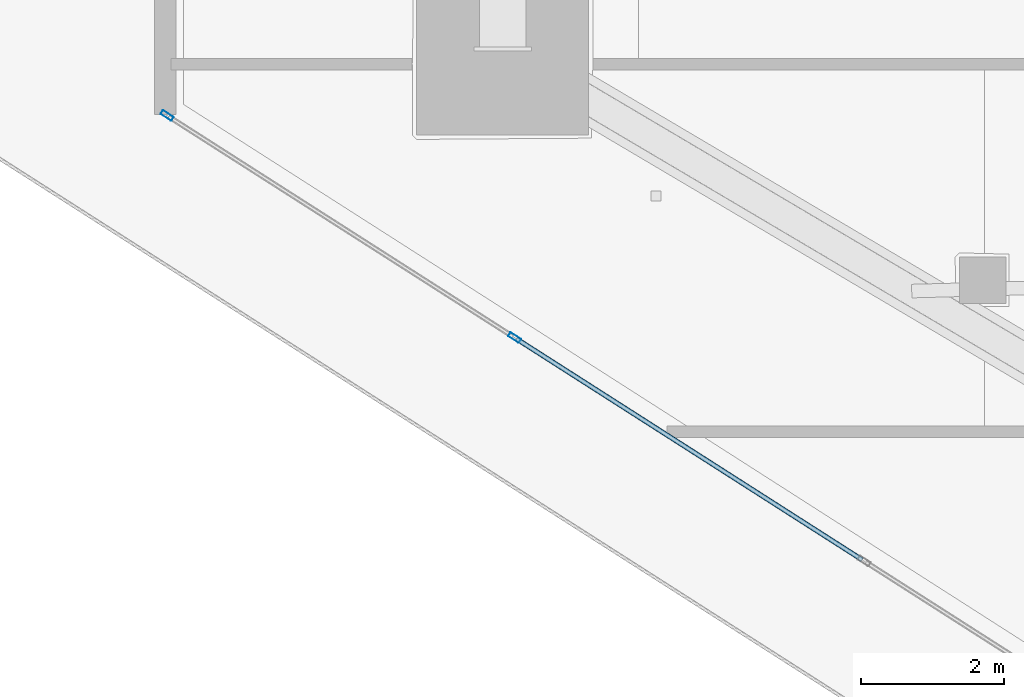
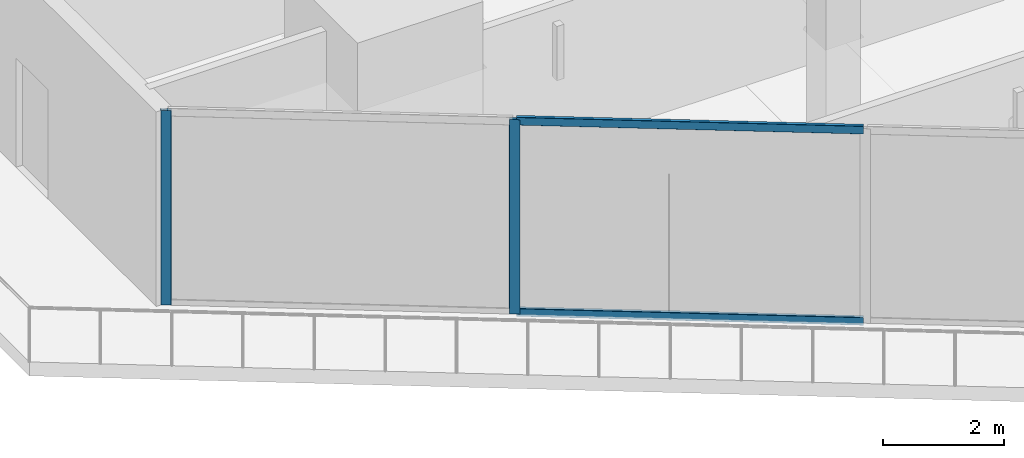
# One storey, part 5 of 52: 4 members, 1 element without a shape of its own.
"""IFC4 building model written with IfcOpenShell, lengths in metres."""

from ifc_helpers import new_model, si_unit, direction, frame, origin, origin_2d, place, context, subcontext, project, spatial, hollow_rectangle, extrude, material, layer, layer_set, material_profile, profile_set, type_object, element, aggregate, save


model = new_model("IFC4")

# Units and contexts
model_context = context("Model", 3, precision=1e-05, world=origin(), true_north=direction((0.0, 1.0)))
body_context = subcontext(model_context, "Body", "Model", "MODEL_VIEW")
ifc_project = project(units=[si_unit("LENGTHUNIT", "METRE"), si_unit("AREAUNIT", "SQUARE_METRE"), si_unit("VOLUMEUNIT", "CUBIC_METRE"), si_unit("PLANEANGLEUNIT", "RADIAN"), si_unit("MASSUNIT", "GRAM", prefix="KILO")], contexts=[model_context])

# Site, building, storey
site_placement = place(None, origin())
site = spatial("IfcSite", under=ifc_project, at=site_placement, CompositionType="ELEMENT")
building_placement = place(site_placement, origin())
building = spatial("IfcBuilding", under=site, at=building_placement, Name="Qorvath Tower", CompositionType="ELEMENT")
storey_placement = place(building_placement, frame((0.0, 0.0, 61.800048828125)))
storey = spatial("IfcBuildingStorey", under=building, at=storey_placement, Name="L13", CompositionType="ELEMENT", Elevation=61.800048828125)

# Curtain wall, members
ifc_material_1 = material(Name="Anodised aluminium and triple low-E glass", Category="aluminium")
ifc_layer = layer(ifc_material_1, 0.179931640625)
ifc_layer_set = layer_set([ifc_layer], Name="CW-SYS-2")
curtain_wall_type = type_object("IfcCurtainWallType", Name="CW-SYS-2", PredefinedType="NOTDEFINED", material=ifc_layer_set)
curtain_wall_placement = place(storey_placement, origin())
curtain_wall = element("IfcCurtainWall", 1, at=curtain_wall_placement, inside=storey, type_object=curtain_wall_type, Name="Curtain Wall CW-2 CW-T-L13-2.1", PredefinedType="NOTDEFINED")
ifc_material_2 = material(Name="Anodised aluminium 6063-T6", Category="aluminium")
ifc_material_profile_1 = material_profile(ifc_material_2, hollow_rectangle(XDim=0.06494140625, YDim=0.179931640625, WallThickness=0.00341796875, InnerFilletRadius=0.00341796875, OuterFilletRadius=0.007080078125, at=origin_2d()), Name="CWM 180x65")
ifc_profile_set_1 = profile_set([ifc_material_profile_1], Name="Anodised aluminium 6063-T6")
member_type_1 = type_object("IfcMemberType", Name="CWM-180", PredefinedType="MULLION", material=ifc_profile_set_1)
member_1_placement = place(storey_placement, frame((-59.970947265625, -4.120849609375, 0.0), z_axis=(0.0, 0.0, 1.0), x_axis=(0.53852960651, 0.842606588458, 0.0)))
member_1 = element("IfcMember", 2, at=member_1_placement, type_object=member_type_1, Name="CW-2 mullion 1", PredefinedType="MULLION", context=body_context, shape_type="SweptSolid", body=[
    extrude(hollow_rectangle(XDim=0.06494140625, YDim=0.179931640625, WallThickness=0.00341796875, InnerFilletRadius=0.00341796875, OuterFilletRadius=0.007080078125, at=origin_2d()), origin(), (0.0, 0.0, 1.0), 3.919921875),
])
member_2_placement = place(storey_placement, frame((-55.11572265625, -7.223876953125, 0.0), z_axis=(0.0, 0.0, 1.0), x_axis=(0.53852960651, 0.842606588458, 0.0)))
member_2 = element("IfcMember", 3, at=member_2_placement, type_object=member_type_1, Name="CW-2 mullion 2", PredefinedType="MULLION", context=body_context, shape_type="SweptSolid", body=[
    extrude(hollow_rectangle(XDim=0.06494140625, YDim=0.179931640625, WallThickness=0.00341796875, InnerFilletRadius=0.00341796875, OuterFilletRadius=0.007080078125, at=origin_2d()), origin(), (0.0, 0.0, 1.0), 3.919921875),
])
ifc_material_3 = material(Name="Anodised aluminium 6063-T6", Category="aluminium")
ifc_material_profile_2 = material_profile(ifc_material_3, hollow_rectangle(XDim=0.06494140625, YDim=0.159912109375, WallThickness=0.00341796875, InnerFilletRadius=0.00341796875, OuterFilletRadius=0.007080078125, at=origin_2d()), Name="CWT 160x65")
ifc_profile_set_2 = profile_set([ifc_material_profile_2], Name="Anodised aluminium 6063-T6")
member_type_2 = type_object("IfcMemberType", Name="CWT-160", PredefinedType="USERDEFINED", material=ifc_profile_set_2)
member_3_placement = place(storey_placement, frame((-55.08837890625, -7.241455078125, 0.032470703125), z_axis=(0.842619459237, -0.538509467805, 0.0), x_axis=(0.538509467805, 0.842619459237, 0.0)))
member_3 = element("IfcMember", 4, at=member_3_placement, type_object=member_type_2, Name="CW-2 transom 2.1", ObjectType="TRANSOM", PredefinedType="USERDEFINED", context=body_context, shape_type="SweptSolid", body=[
    extrude(hollow_rectangle(XDim=0.06494140625, YDim=0.159912109375, WallThickness=0.00341796875, InnerFilletRadius=0.00341796875, OuterFilletRadius=0.007080078125, at=origin_2d()), origin(), (0.0, 0.0, 1.0), 5.7294921875),
])
member_4_placement = place(storey_placement, frame((-55.08837890625, -7.241455078125, 3.887451171875), z_axis=(0.842619459237, -0.538509467805, 0.0), x_axis=(0.538509467805, 0.842619459237, 0.0)))
member_4 = element("IfcMember", 5, at=member_4_placement, type_object=member_type_2, Name="CW-2 transom 2.2", ObjectType="TRANSOM", PredefinedType="USERDEFINED", context=body_context, shape_type="SweptSolid", body=[
    extrude(hollow_rectangle(XDim=0.06494140625, YDim=0.159912109375, WallThickness=0.00341796875, InnerFilletRadius=0.00341796875, OuterFilletRadius=0.007080078125, at=origin_2d()), origin(), (0.0, 0.0, 1.0), 5.7294921875),
])
aggregate(curtain_wall, [member_1, member_2, member_3, member_4])

save(model, "model.ifc")
